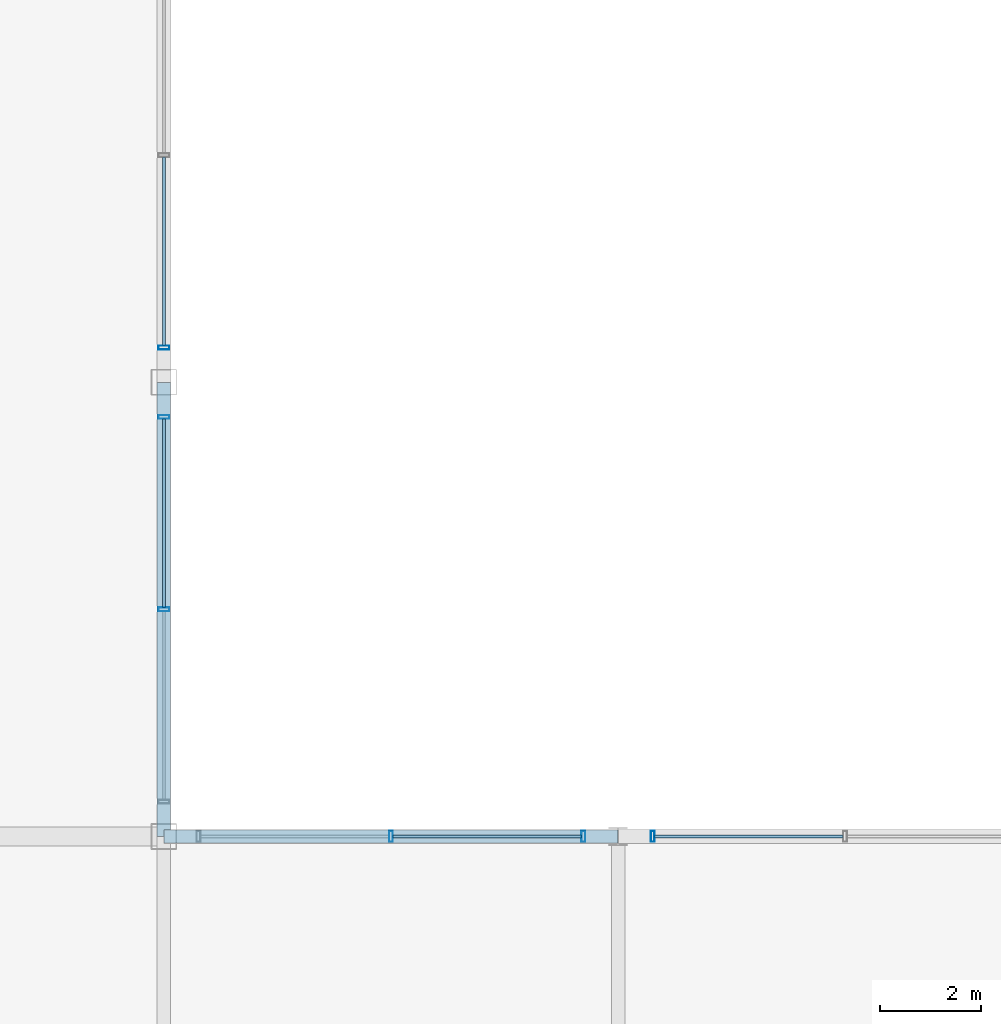
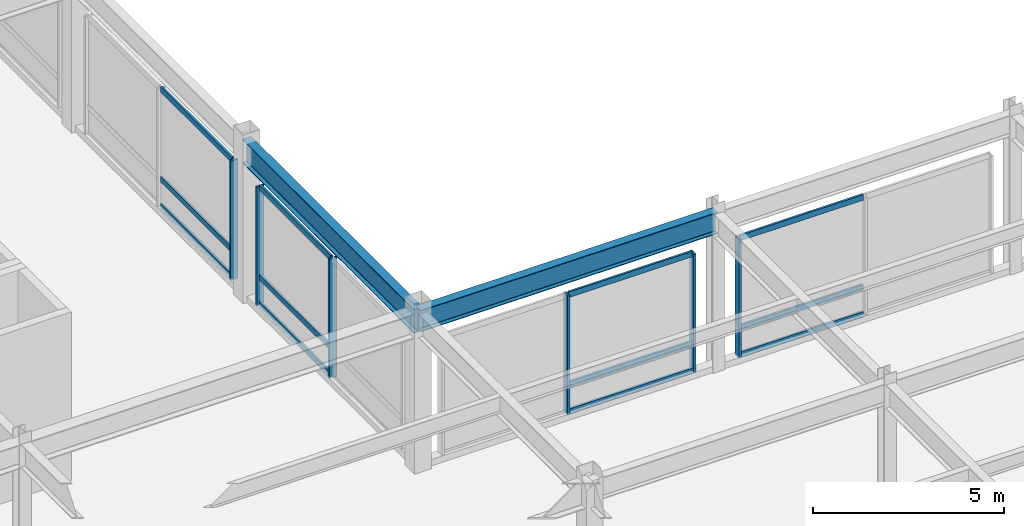
# One storey, part 51 of 100: 18 members, 2 beams, 4 elements without a shape of their own.
"""IFC4 building model written with IfcOpenShell, lengths in metres."""

from ifc_helpers import new_model, si_unit, direction, frame, origin, origin_2d, place, context, subcontext, project, spatial, hollow_rectangle, i_section, extrude, material, material_profile, profile_set, type_object, element, aggregate, save


model = new_model("IFC4")

# Units and contexts
model_context = context("Model", 3, precision=1e-05, world=origin(), true_north=direction((0.0, 1.0)))
body_context = subcontext(model_context, "Body", "Model", "MODEL_VIEW")
ifc_project = project(units=[si_unit("LENGTHUNIT", "METRE"), si_unit("AREAUNIT", "SQUARE_METRE"), si_unit("VOLUMEUNIT", "CUBIC_METRE"), si_unit("PLANEANGLEUNIT", "RADIAN"), si_unit("MASSUNIT", "GRAM", prefix="KILO")], contexts=[model_context])

# Site, building, storey
site_placement = place(None, origin())
site = spatial("IfcSite", under=ifc_project, at=site_placement, CompositionType="ELEMENT")
building_placement = place(site_placement, origin())
building = spatial("IfcBuilding", under=site, at=building_placement, Name="Kaldorvane Square Convention Centre", CompositionType="ELEMENT")
storey_placement = place(building_placement, frame((0.0, 0.0, 18.0)))
storey = spatial("IfcBuildingStorey", under=building, at=storey_placement, Name="L03", CompositionType="ELEMENT", Elevation=18.0)

# Beams
ifc_material_1 = material(Name="Steel ASTM A992 Gr. 50", Category="steel")
ifc_material_profile_1 = material_profile(ifc_material_1, i_section(OverallWidth=0.25439453125, OverallDepth=0.6880950927734375, WebThickness=0.0131072998046875, FlangeThickness=0.0211029052734375, FilletRadius=0.01519775390625, at=origin_2d()), Name="W27X102")
ifc_profile_set_1 = profile_set([ifc_material_profile_1], Name="Steel ASTM A992 Gr. 50")
beam_type_1 = type_object("IfcBeamType", Name="BM-GR-W27X102", PredefinedType="BEAM", material=ifc_profile_set_1)
beam_1_placement = place(storey_placement, frame((138.0, 36.0, 4.731903076171875), z_axis=(1.0, 0.0, 0.0), x_axis=(0.0, 1.0, 0.0)))
element("IfcBeam", 1, at=beam_1_placement, inside=storey, type_object=beam_type_1, Name="Primary Girder (L03)", PredefinedType="BEAM", context=body_context, shape_type="SweptSolid", body=[
    extrude(i_section(OverallWidth=0.25439453125, OverallDepth=0.6880950927734375, WebThickness=0.0131072998046875, FlangeThickness=0.0211029052734375, FilletRadius=0.01519775390625, at=origin_2d()), origin(), (0.0, 0.0, 1.0), 9.0),
])
ifc_material_profile_2 = material_profile(ifc_material_1, i_section(OverallWidth=0.2666015625, OverallDepth=0.762298583984375, WebThickness=0.014404296875, FlangeThickness=0.0216064453125, FilletRadius=0.0164947509765625, at=origin_2d()), Name="W30X116")
ifc_profile_set_2 = profile_set([ifc_material_profile_2], Name="Steel ASTM A992 Gr. 50")
beam_type_2 = type_object("IfcBeamType", Name="BM-GR-W30X116", PredefinedType="BEAM", material=ifc_profile_set_2)
beam_2_placement = place(storey_placement, frame((138.0, 36.0, 4.694793701171875), z_axis=(0.0, 1.0, 0.0), x_axis=(-1.0, 0.0, 0.0)))
element("IfcBeam", 2, at=beam_2_placement, inside=storey, type_object=beam_type_2, Name="Transverse Girder (L03)", PredefinedType="BEAM", context=body_context, shape_type="SweptSolid", body=[
    extrude(i_section(OverallWidth=0.2666015625, OverallDepth=0.762298583984375, WebThickness=0.014404296875, FlangeThickness=0.0216064453125, FilletRadius=0.0164947509765625, at=origin_2d()), origin(), (0.0, 0.0, 1.0), 9.0),
])

# Curtain wall, members
ifc_material_2 = material(Name="Anodized Aluminum and Low-E Insulated Glazing", Category="aluminium")
curtain_wall_type = type_object("IfcCurtainWallType", Name="CW-PTS-FC-54", PredefinedType="USERDEFINED", material=ifc_material_2)
curtain_wall_1_placement = place(storey_placement, origin())
curtain_wall_1 = element("IfcCurtainWall", 3, at=curtain_wall_1_placement, inside=storey, type_object=curtain_wall_type, Name="Curtain Wall CW-08 (L03)", ObjectType="POINT SUPPORTED GLAZING", PredefinedType="USERDEFINED")
ifc_material_profile_3 = material_profile(ifc_material_2, hollow_rectangle(XDim=0.0749969482421875, YDim=0.220001220703125, WallThickness=0.003997802734375, at=origin_2d()), Name="CWM-220X75")
ifc_profile_set_3 = profile_set([ifc_material_profile_3], Name="Anodized Aluminum and Low-E Insulated Glazing")
member_type_1 = type_object("IfcMemberType", Name="CW-MUL-220", PredefinedType="MULLION", material=ifc_profile_set_3)
member_1_placement = place(storey_placement, frame((146.3125, 36.0, 0.149993896484375), z_axis=(0.0, 0.0, 1.0), x_axis=(-1.0, 0.0, 0.0)))
member_1 = element("IfcMember", 4, at=member_1_placement, type_object=member_type_1, Name="CW-08 mullion 1", PredefinedType="MULLION", context=body_context, shape_type="SweptSolid", body=[
    extrude(hollow_rectangle(XDim=0.0749969482421875, YDim=0.220001220703125, WallThickness=0.003997802734375, at=origin_2d()), origin(), (0.0, 0.0, 1.0), 3.8100128173828125),
])
member_2_placement = place(storey_placement, frame((142.5, 36.0, 0.149993896484375), z_axis=(0.0, 0.0, 1.0), x_axis=(-1.0, 0.0, 0.0)))
member_2 = element("IfcMember", 5, at=member_2_placement, type_object=member_type_1, Name="CW-08 mullion 2", PredefinedType="MULLION", context=body_context, shape_type="SweptSolid", body=[
    extrude(hollow_rectangle(XDim=0.0749969482421875, YDim=0.220001220703125, WallThickness=0.003997802734375, at=origin_2d()), origin(), (0.0, 0.0, 1.0), 3.8100128173828125),
])

# Curtain wall, member
curtain_wall_2_placement = place(storey_placement, origin())
curtain_wall_2 = element("IfcCurtainWall", 6, at=curtain_wall_2_placement, inside=storey, type_object=curtain_wall_type, Name="Curtain Wall CW-08 (L03)", ObjectType="POINT SUPPORTED GLAZING", PredefinedType="USERDEFINED")
member_3_placement = place(storey_placement, frame((147.6875, 36.0, 0.149993896484375), z_axis=(0.0, 0.0, 1.0), x_axis=(-1.0, 0.0, 0.0)))
member_3 = element("IfcMember", 7, at=member_3_placement, type_object=member_type_1, Name="CW-08 mullion 3", PredefinedType="MULLION", context=body_context, shape_type="SweptSolid", body=[
    extrude(hollow_rectangle(XDim=0.0749969482421875, YDim=0.220001220703125, WallThickness=0.003997802734375, at=origin_2d()), origin(), (0.0, 0.0, 1.0), 3.8100128173828125),
])

# Curtain wall, members
curtain_wall_3_placement = place(storey_placement, origin())
curtain_wall_3 = element("IfcCurtainWall", 8, at=curtain_wall_3_placement, inside=storey, type_object=curtain_wall_type, Name="Curtain Wall CW-08 (L03)", ObjectType="POINT SUPPORTED GLAZING", PredefinedType="USERDEFINED")
member_4_placement = place(storey_placement, frame((138.0, 40.5, 0.149993896484375), z_axis=(0.0, 0.0, 1.0), x_axis=(0.0, 1.0, 0.0)))
member_4 = element("IfcMember", 9, at=member_4_placement, type_object=member_type_1, Name="CW-08 mullion 2", PredefinedType="MULLION", context=body_context, shape_type="SweptSolid", body=[
    extrude(hollow_rectangle(XDim=0.0749969482421875, YDim=0.220001220703125, WallThickness=0.003997802734375, at=origin_2d()), origin(), (0.0, 0.0, 1.0), 3.8100128173828125),
])
member_5_placement = place(storey_placement, frame((138.0, 44.3125, 0.149993896484375), z_axis=(0.0, 0.0, 1.0), x_axis=(0.0, 1.0, 0.0)))
member_5 = element("IfcMember", 10, at=member_5_placement, type_object=member_type_1, Name="CW-08 mullion 3", PredefinedType="MULLION", context=body_context, shape_type="SweptSolid", body=[
    extrude(hollow_rectangle(XDim=0.0749969482421875, YDim=0.220001220703125, WallThickness=0.003997802734375, at=origin_2d()), origin(), (0.0, 0.0, 1.0), 3.8100128173828125),
])

# Curtain wall, member
curtain_wall_4_placement = place(storey_placement, origin())
curtain_wall_4 = element("IfcCurtainWall", 11, at=curtain_wall_4_placement, inside=storey, type_object=curtain_wall_type, Name="Curtain Wall CW-08 (L03)", ObjectType="POINT SUPPORTED GLAZING", PredefinedType="USERDEFINED")
member_6_placement = place(storey_placement, frame((138.0, 45.6875, 0.149993896484375), z_axis=(0.0, 0.0, 1.0), x_axis=(0.0, 1.0, 0.0)))
member_6 = element("IfcMember", 12, at=member_6_placement, type_object=member_type_1, Name="CW-08 mullion 1", PredefinedType="MULLION", context=body_context, shape_type="SweptSolid", body=[
    extrude(hollow_rectangle(XDim=0.0749969482421875, YDim=0.220001220703125, WallThickness=0.003997802734375, at=origin_2d()), origin(), (0.0, 0.0, 1.0), 3.8100128173828125),
])

# Member
ifc_material_profile_4 = material_profile(ifc_material_2, hollow_rectangle(XDim=0.06500244140625, YDim=0.17999267578125, WallThickness=0.0034942626953125, at=origin_2d()), Name="CWT-180X65")
ifc_profile_set_4 = profile_set([ifc_material_profile_4], Name="Anodized Aluminum and Low-E Insulated Glazing")
member_type_2 = type_object("IfcMemberType", Name="CW-TRN-180", PredefinedType="USERDEFINED", material=ifc_profile_set_4)
member_7_placement = place(storey_placement, frame((146.27499389648438, 36.0, 0.1824951171875), z_axis=(-1.0, 0.0, 0.0), x_axis=(0.0, -1.0, 0.0)))
member_7 = element("IfcMember", 13, at=member_7_placement, type_object=member_type_2, Name="CW-08 transom 1.1", ObjectType="TRANSOM", PredefinedType="USERDEFINED", context=body_context, shape_type="SweptSolid", body=[
    extrude(hollow_rectangle(XDim=0.06500244140625, YDim=0.17999267578125, WallThickness=0.0034942626953125, at=origin_2d()), origin(), (0.0, 0.0, 1.0), 3.73748779296875),
])

member_8_placement = place(storey_placement, frame((146.27499389648438, 36.0, 1.0500030517578125), z_axis=(-1.0, 0.0, 0.0), x_axis=(0.0, -1.0, 0.0)))
member_8 = element("IfcMember", 14, at=member_8_placement, type_object=member_type_2, Name="CW-08 transom 1.2", ObjectType="TRANSOM", PredefinedType="USERDEFINED", context=body_context, shape_type="SweptSolid", body=[
    extrude(hollow_rectangle(XDim=0.06500244140625, YDim=0.17999267578125, WallThickness=0.0034942626953125, at=origin_2d()), origin(), (0.0, 0.0, 1.0), 3.73748779296875),
])

member_9_placement = place(storey_placement, frame((146.27499389648438, 36.0, 3.9275054931640625), z_axis=(-1.0, 0.0, 0.0), x_axis=(0.0, -1.0, 0.0)))
member_9 = element("IfcMember", 15, at=member_9_placement, type_object=member_type_2, Name="CW-08 transom 1.3", ObjectType="TRANSOM", PredefinedType="USERDEFINED", context=body_context, shape_type="SweptSolid", body=[
    extrude(hollow_rectangle(XDim=0.06500244140625, YDim=0.17999267578125, WallThickness=0.0034942626953125, at=origin_2d()), origin(), (0.0, 0.0, 1.0), 3.73748779296875),
])

aggregate(curtain_wall_1, [member_1, member_2, member_7, member_8, member_9])

member_10_placement = place(storey_placement, frame((151.46249389648438, 36.0, 0.1824951171875), z_axis=(-1.0, 0.0, 0.0), x_axis=(0.0, -1.0, 0.0)))
member_10 = element("IfcMember", 16, at=member_10_placement, type_object=member_type_2, Name="CW-08 transom 2.1", ObjectType="TRANSOM", PredefinedType="USERDEFINED", context=body_context, shape_type="SweptSolid", body=[
    extrude(hollow_rectangle(XDim=0.06500244140625, YDim=0.17999267578125, WallThickness=0.0034942626953125, at=origin_2d()), origin(), (0.0, 0.0, 1.0), 3.73748779296875),
])

member_11_placement = place(storey_placement, frame((151.46249389648438, 36.0, 1.0500030517578125), z_axis=(-1.0, 0.0, 0.0), x_axis=(0.0, -1.0, 0.0)))
member_11 = element("IfcMember", 17, at=member_11_placement, type_object=member_type_2, Name="CW-08 transom 2.2", ObjectType="TRANSOM", PredefinedType="USERDEFINED", context=body_context, shape_type="SweptSolid", body=[
    extrude(hollow_rectangle(XDim=0.06500244140625, YDim=0.17999267578125, WallThickness=0.0034942626953125, at=origin_2d()), origin(), (0.0, 0.0, 1.0), 3.73748779296875),
])

member_12_placement = place(storey_placement, frame((151.46249389648438, 36.0, 3.9275054931640625), z_axis=(-1.0, 0.0, 0.0), x_axis=(0.0, -1.0, 0.0)))
member_12 = element("IfcMember", 18, at=member_12_placement, type_object=member_type_2, Name="CW-08 transom 2.3", ObjectType="TRANSOM", PredefinedType="USERDEFINED", context=body_context, shape_type="SweptSolid", body=[
    extrude(hollow_rectangle(XDim=0.06500244140625, YDim=0.17999267578125, WallThickness=0.0034942626953125, at=origin_2d()), origin(), (0.0, 0.0, 1.0), 3.73748779296875),
])

aggregate(curtain_wall_2, [member_3, member_10, member_11, member_12])

member_13_placement = place(storey_placement, frame((138.0, 40.537506103515625, 0.1824951171875), z_axis=(0.0, 1.0, 0.0), x_axis=(-1.0, 0.0, 0.0)))
member_13 = element("IfcMember", 19, at=member_13_placement, type_object=member_type_2, Name="CW-08 transom 2.1", ObjectType="TRANSOM", PredefinedType="USERDEFINED", context=body_context, shape_type="SweptSolid", body=[
    extrude(hollow_rectangle(XDim=0.06500244140625, YDim=0.17999267578125, WallThickness=0.0034942626953125, at=origin_2d()), origin(), (0.0, 0.0, 1.0), 3.73748779296875),
])

member_14_placement = place(storey_placement, frame((138.0, 40.537506103515625, 1.0500030517578125), z_axis=(0.0, 1.0, 0.0), x_axis=(-1.0, 0.0, 0.0)))
member_14 = element("IfcMember", 20, at=member_14_placement, type_object=member_type_2, Name="CW-08 transom 2.2", ObjectType="TRANSOM", PredefinedType="USERDEFINED", context=body_context, shape_type="SweptSolid", body=[
    extrude(hollow_rectangle(XDim=0.06500244140625, YDim=0.17999267578125, WallThickness=0.0034942626953125, at=origin_2d()), origin(), (0.0, 0.0, 1.0), 3.73748779296875),
])

member_15_placement = place(storey_placement, frame((138.0, 40.537506103515625, 3.9275054931640625), z_axis=(0.0, 1.0, 0.0), x_axis=(-1.0, 0.0, 0.0)))
member_15 = element("IfcMember", 21, at=member_15_placement, type_object=member_type_2, Name="CW-08 transom 2.3", ObjectType="TRANSOM", PredefinedType="USERDEFINED", context=body_context, shape_type="SweptSolid", body=[
    extrude(hollow_rectangle(XDim=0.06500244140625, YDim=0.17999267578125, WallThickness=0.0034942626953125, at=origin_2d()), origin(), (0.0, 0.0, 1.0), 3.73748779296875),
])

aggregate(curtain_wall_3, [member_4, member_5, member_13, member_14, member_15])

member_16_placement = place(storey_placement, frame((138.0, 45.725006103515625, 0.1824951171875), z_axis=(0.0, 1.0, 0.0), x_axis=(-1.0, 0.0, 0.0)))
member_16 = element("IfcMember", 22, at=member_16_placement, type_object=member_type_2, Name="CW-08 transom 1.1", ObjectType="TRANSOM", PredefinedType="USERDEFINED", context=body_context, shape_type="SweptSolid", body=[
    extrude(hollow_rectangle(XDim=0.06500244140625, YDim=0.17999267578125, WallThickness=0.0034942626953125, at=origin_2d()), origin(), (0.0, 0.0, 1.0), 3.73748779296875),
])

member_17_placement = place(storey_placement, frame((138.0, 45.725006103515625, 1.0500030517578125), z_axis=(0.0, 1.0, 0.0), x_axis=(-1.0, 0.0, 0.0)))
member_17 = element("IfcMember", 23, at=member_17_placement, type_object=member_type_2, Name="CW-08 transom 1.2", ObjectType="TRANSOM", PredefinedType="USERDEFINED", context=body_context, shape_type="SweptSolid", body=[
    extrude(hollow_rectangle(XDim=0.06500244140625, YDim=0.17999267578125, WallThickness=0.0034942626953125, at=origin_2d()), origin(), (0.0, 0.0, 1.0), 3.73748779296875),
])

member_18_placement = place(storey_placement, frame((138.0, 45.725006103515625, 3.9275054931640625), z_axis=(0.0, 1.0, 0.0), x_axis=(-1.0, 0.0, 0.0)))
member_18 = element("IfcMember", 24, at=member_18_placement, type_object=member_type_2, Name="CW-08 transom 1.3", ObjectType="TRANSOM", PredefinedType="USERDEFINED", context=body_context, shape_type="SweptSolid", body=[
    extrude(hollow_rectangle(XDim=0.06500244140625, YDim=0.17999267578125, WallThickness=0.0034942626953125, at=origin_2d()), origin(), (0.0, 0.0, 1.0), 3.73748779296875),
])

aggregate(curtain_wall_4, [member_6, member_16, member_17, member_18])

save(model, "model.ifc")
